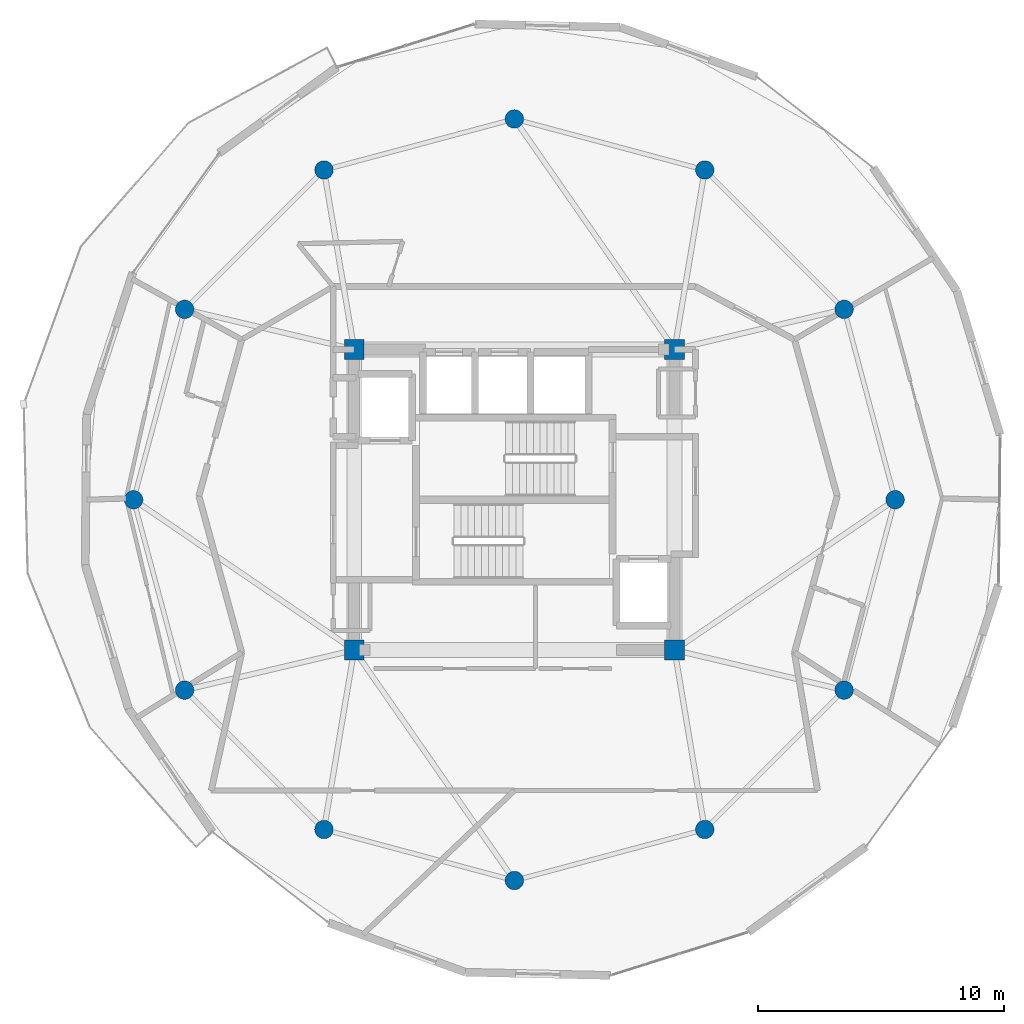
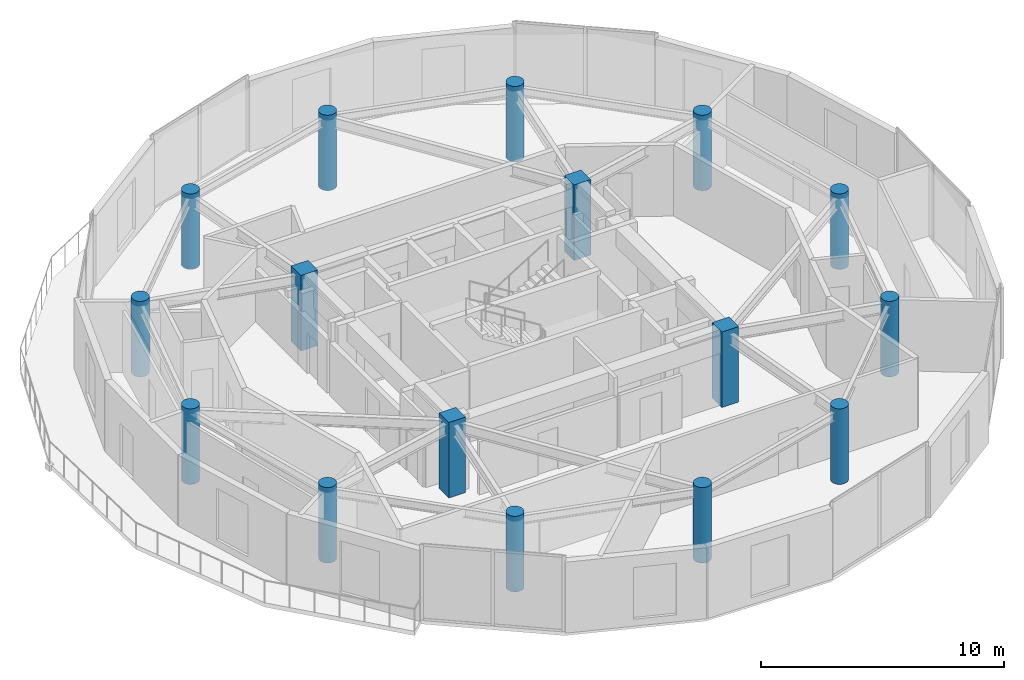
# One storey, part 1 of 19: 16 columns.
"""IFC4 building model written with IfcOpenShell, lengths in metres."""

from ifc_helpers import new_model, si_unit, direction, frame, origin, origin_2d, place, context, subcontext, project, spatial, rectangle, circle, extrude, material, material_profile, profile_set, type_object, element, save


model = new_model("IFC4")

# Units and contexts
model_context = context("Model", 3, precision=1e-05, world=origin(), true_north=direction((0.0, 1.0)))
body_context = subcontext(model_context, "Body", "Model", "MODEL_VIEW")
ifc_project = project(units=[si_unit("LENGTHUNIT", "METRE"), si_unit("AREAUNIT", "SQUARE_METRE"), si_unit("VOLUMEUNIT", "CUBIC_METRE"), si_unit("PLANEANGLEUNIT", "RADIAN"), si_unit("MASSUNIT", "GRAM", prefix="KILO")], contexts=[model_context])

# Site, building, storey
site_placement = place(None, origin())
site = spatial("IfcSite", under=ifc_project, at=site_placement, CompositionType="ELEMENT")
building_placement = place(site_placement, origin())
building = spatial("IfcBuilding", under=site, at=building_placement, Name="Solvirekh Grand Hotel", CompositionType="ELEMENT")
storey_placement = place(building_placement, frame((0.0, 0.0, 254.39990234375)))
storey = spatial("IfcBuildingStorey", under=building, at=storey_placement, Name="L66", CompositionType="ELEMENT", Elevation=254.39990234375)

# Columns
ifc_material = material(Name="Concrete C50/60", Category="concrete")
ifc_material_profile_1 = material_profile(ifc_material, rectangle(XDim=0.800048828125, YDim=0.800048828125, at=origin_2d()), Name="RC 800X800")
ifc_profile_set_1 = profile_set([ifc_material_profile_1], Name="Concrete C50/60")
column_type_1 = type_object("IfcColumnType", Name="Col_Core_800", PredefinedType="COLUMN", material=ifc_profile_set_1)
for number, where, z_axis, x_axis, name in (
    (1, (-6.5, -6.10009765625, 0.0), (0.0, 0.0, 1.0), (1.0, 0.0, 0.0), "L66 core corner column CC1"),
    (2, (6.5, -6.10009765625, 0.0), (0.0, 0.0, 1.0), (1.0, 0.0, 0.0), "L66 core corner column CC2"),
    (3, (6.5, 6.10009765625, 0.0), (0.0, 0.0, 1.0), (1.0, 0.0, 0.0), "L66 core corner column CC3"),
    (4, (-6.5, 6.10009765625, 0.0), (0.0, 0.0, 1.0), (1.0, 0.0, 0.0), "L66 core corner column CC4"),
):
    element("IfcColumn", number, at=place(storey_placement, frame(where, z_axis=z_axis, x_axis=x_axis)), inside=storey, type_object=column_type_1, Name=name, PredefinedType="COLUMN", context=body_context, shape_type="SweptSolid", body=[
        extrude(rectangle(XDim=0.800048828125, YDim=0.800048828125, at=origin_2d()), origin(), (0.0, 0.0, 1.0), 3.800048828125),
    ])
ifc_material_profile_2 = material_profile(ifc_material, circle(Radius=0.375, at=origin_2d()), Name="RC CIRC D750")
ifc_profile_set_2 = profile_set([ifc_material_profile_2], Name="Concrete C50/60")
column_type_2 = type_object("IfcColumnType", Name="Col_Z4_D750", PredefinedType="COLUMN", material=ifc_profile_set_2)
for number, where, z_axis, x_axis, name in (
    (5, (15.449951171875, 0.0, 0.0), (0.0, 0.0, 1.0), (1.0, 0.0, 0.0), "L66 perimeter column P01"),
    (6, (13.3798828125, 7.72509765625, 0.0), (0.0, 0.0, 1.0), (1.0, 0.0, 0.0), "L66 perimeter column P02"),
    (7, (7.72509765625, 13.3798828125, 0.0), (0.0, 0.0, 1.0), (1.0, 0.0, 0.0), "L66 perimeter column P03"),
    (8, (0.0, 15.449951171875, 0.0), (0.0, 0.0, 1.0), (1.0, 0.0, 0.0), "L66 perimeter column P04"),
    (9, (-7.72509765625, 13.3798828125, 0.0), (0.0, 0.0, 1.0), (1.0, 0.0, 0.0), "L66 perimeter column P05"),
    (10, (-13.3798828125, 7.72509765625, 0.0), (0.0, 0.0, 1.0), (1.0, 0.0, 0.0), "L66 perimeter column P06"),
    (11, (-15.449951171875, 0.0, 0.0), (0.0, 0.0, 1.0), (1.0, 0.0, 0.0), "L66 perimeter column P07"),
    (12, (-13.3798828125, -7.72509765625, 0.0), (0.0, 0.0, 1.0), (1.0, 0.0, 0.0), "L66 perimeter column P08"),
    (13, (-7.72509765625, -13.3798828125, 0.0), (0.0, 0.0, 1.0), (1.0, 0.0, 0.0), "L66 perimeter column P09"),
    (14, (0.0, -15.449951171875, 0.0), (0.0, 0.0, 1.0), (1.0, 0.0, 0.0), "L66 perimeter column P10"),
    (15, (7.72509765625, -13.3798828125, 0.0), (0.0, 0.0, 1.0), (1.0, 0.0, 0.0), "L66 perimeter column P11"),
    (16, (13.3798828125, -7.72509765625, 0.0), (0.0, 0.0, 1.0), (1.0, 0.0, 0.0), "L66 perimeter column P12"),
):
    element("IfcColumn", number, at=place(storey_placement, frame(where, z_axis=z_axis, x_axis=x_axis)), inside=storey, type_object=column_type_2, Name=name, PredefinedType="COLUMN", context=body_context, shape_type="SweptSolid", body=[
        extrude(circle(Radius=0.375, at=origin_2d()), origin(), (0.0, 0.0, 1.0), 3.800048828125),
    ])

save(model, "model.ifc")
